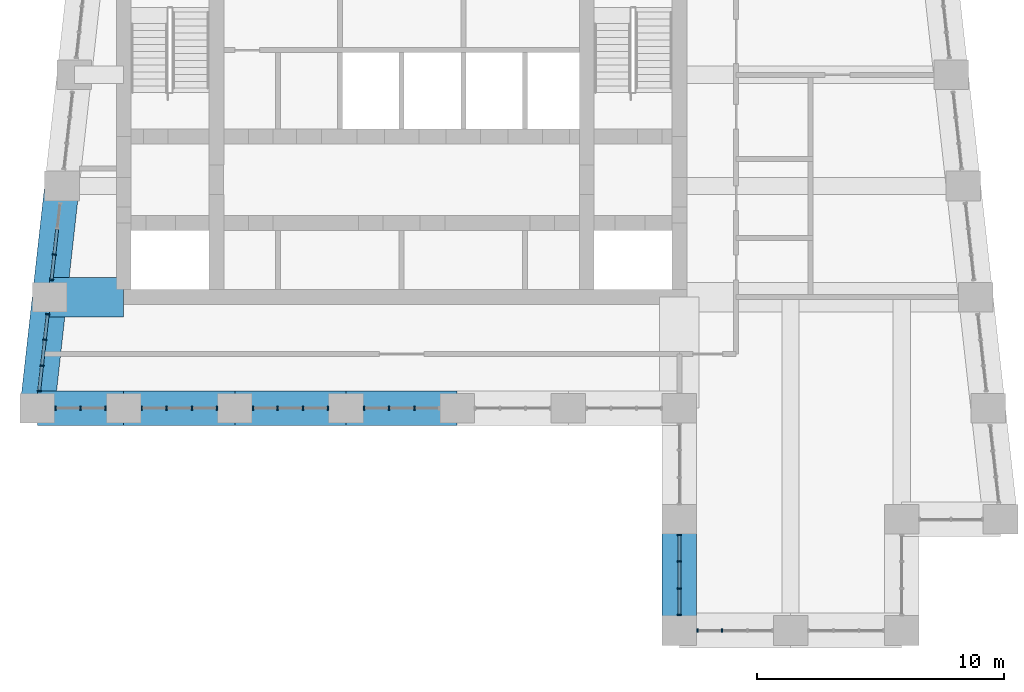
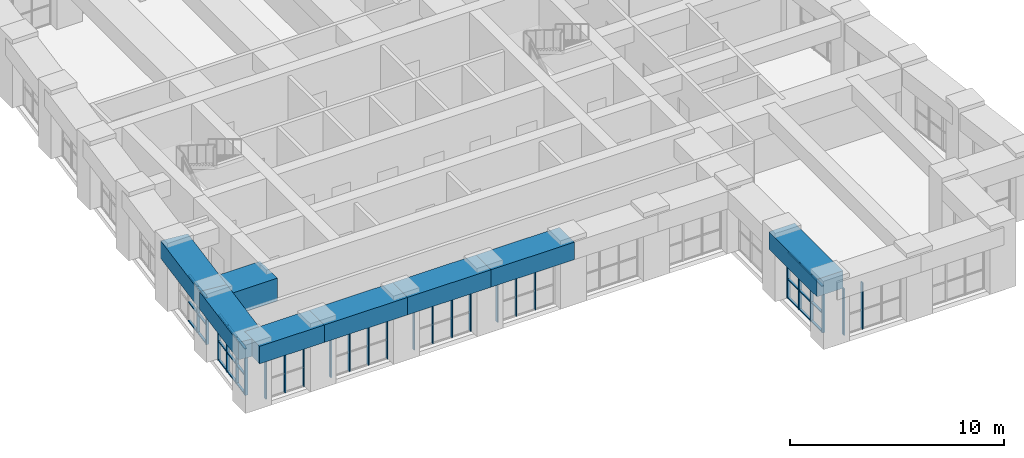
# One storey, part 2 of 18: 50 members, 8 beams, 8 elements without a shape of their own.
"""IFC4 building model written with IfcOpenShell, lengths in metres."""

from ifc_helpers import new_model, si_unit, direction, frame, origin, origin_2d, place, context, subcontext, project, spatial, rectangle, extrude, material, material_profile, profile_set, type_object, element, aggregate, save


model = new_model("IFC4")

# Units and contexts
model_context = context("Model", 3, precision=1e-05, world=origin(), true_north=direction((0.0, 1.0)))
body_context = subcontext(model_context, "Body", "Model", "MODEL_VIEW")
ifc_project = project(units=[si_unit("LENGTHUNIT", "METRE"), si_unit("AREAUNIT", "SQUARE_METRE"), si_unit("VOLUMEUNIT", "CUBIC_METRE"), si_unit("PLANEANGLEUNIT", "RADIAN"), si_unit("MASSUNIT", "GRAM", prefix="KILO")], contexts=[model_context])

# Site, building, storey
site_placement = place(None, origin())
site = spatial("IfcSite", under=ifc_project, at=site_placement, CompositionType="ELEMENT")
building_placement = place(site_placement, origin())
building = spatial("IfcBuilding", under=site, at=building_placement, Name="Kilele Tower Hotel", CompositionType="ELEMENT")
storey_placement = place(building_placement, frame((0.0, 0.0, 281.89990234375)))
storey = spatial("IfcBuildingStorey", under=building, at=storey_placement, Name="L72", CompositionType="ELEMENT", Elevation=281.89990234375)

# Beam
ifc_material_1 = material(Name="Concrete C60/75", Category="concrete")
ifc_material_profile_1 = material_profile(ifc_material_1, rectangle(XDim=1.60009765625, YDim=1.300048828125, at=origin_2d()))
ifc_profile_set_1 = profile_set([ifc_material_profile_1], Name="Concrete C60/75")
beam_type_1 = type_object("IfcBeamType", Name="Coupling girder RC 1600x1300 C60/75", PredefinedType="BEAM", material=ifc_profile_set_1)
beam_1_placement = place(storey_placement, frame((10.5, 13.5, 3.0), z_axis=(1.0, 0.0, 0.0), x_axis=(0.0, 1.0, 0.0)))
element("IfcBeam", 1, at=beam_1_placement, inside=storey, type_object=beam_type_1, Name="Coupling girder G2 level L73", PredefinedType="BEAM", context=body_context, shape_type="SweptSolid", body=[
    extrude(rectangle(XDim=1.60009765625, YDim=1.300048828125, at=origin_2d()), origin(), (0.0, 0.0, 1.0), 3.0),
])

# Curtain wall, members
ifc_material_2 = material(Name="Aluminium curtain wall, clear double glazing", Category="aluminium")
curtain_wall_type = type_object("IfcCurtainWallType", Name="Sky restaurant curtain wall CW-5", PredefinedType="NOTDEFINED", material=ifc_material_2)
curtain_wall_1_placement = place(storey_placement, origin())
curtain_wall_1 = element("IfcCurtainWall", 2, at=curtain_wall_1_placement, inside=storey, type_object=curtain_wall_type, Name="Sky restaurant curtain wall CW-5 L72", PredefinedType="NOTDEFINED")
ifc_material_3 = material(Name="Aluminium EN AW-6063 T6", Category="aluminium")
ifc_material_profile_2 = material_profile(ifc_material_3, rectangle(XDim=0.159912109375, YDim=0.06005859375, at=origin_2d()))
ifc_profile_set_2 = profile_set([ifc_material_profile_2], Name="Aluminium EN AW-6063 T6")
member_type_1 = type_object("IfcMemberType", Name="Mullion 60x160 CW-5", PredefinedType="MULLION", material=ifc_profile_set_2)
member_1_placement = place(storey_placement, frame((10.72998046875, 9.0, 0.0), z_axis=(0.0, 0.0, 1.0), x_axis=(0.0, 1.0, 0.0)))
member_1 = element("IfcMember", 3, at=member_1_placement, type_object=member_type_1, Name="CW-5 mullion 1", PredefinedType="MULLION", context=body_context, shape_type="SweptSolid", body=[
    extrude(rectangle(XDim=0.159912109375, YDim=0.06005859375, at=origin_2d()), origin(), (0.0, 0.0, 1.0), 2.650146484375),
])
member_2_placement = place(storey_placement, frame((11.75, 9.0, 0.0), z_axis=(0.0, 0.0, 1.0), x_axis=(0.0, 1.0, 0.0)))
member_2 = element("IfcMember", 4, at=member_2_placement, type_object=member_type_1, Name="CW-5 mullion 2", PredefinedType="MULLION", context=body_context, shape_type="SweptSolid", body=[
    extrude(rectangle(XDim=0.159912109375, YDim=0.06005859375, at=origin_2d()), origin(), (0.0, 0.0, 1.0), 2.650146484375),
])
member_3_placement = place(storey_placement, frame((12.77001953125, 9.0, 0.0), z_axis=(0.0, 0.0, 1.0), x_axis=(0.0, 1.0, 0.0)))
member_3 = element("IfcMember", 5, at=member_3_placement, type_object=member_type_1, Name="CW-5 mullion 3", PredefinedType="MULLION", context=body_context, shape_type="SweptSolid", body=[
    extrude(rectangle(XDim=0.159912109375, YDim=0.06005859375, at=origin_2d()), origin(), (0.0, 0.0, 1.0), 2.650146484375),
])
aggregate(curtain_wall_1, [member_1, member_2, member_3])

curtain_wall_2_placement = place(storey_placement, origin())
curtain_wall_2 = element("IfcCurtainWall", 6, at=curtain_wall_2_placement, inside=storey, type_object=curtain_wall_type, Name="Sky restaurant curtain wall CW-5 L72", PredefinedType="NOTDEFINED")
member_4_placement = place(storey_placement, frame((14.22998046875, 9.0, 0.0), z_axis=(0.0, 0.0, 1.0), x_axis=(0.0, 1.0, 0.0)))
member_4 = element("IfcMember", 7, at=member_4_placement, type_object=member_type_1, Name="CW-5 mullion 1", PredefinedType="MULLION", context=body_context, shape_type="SweptSolid", body=[
    extrude(rectangle(XDim=0.159912109375, YDim=0.06005859375, at=origin_2d()), origin(), (0.0, 0.0, 1.0), 2.650146484375),
])
member_5_placement = place(storey_placement, frame((15.2333984375, 9.0, 0.0), z_axis=(0.0, 0.0, 1.0), x_axis=(0.0, 1.0, 0.0)))
member_5 = element("IfcMember", 8, at=member_5_placement, type_object=member_type_1, Name="CW-5 mullion 2", PredefinedType="MULLION", context=body_context, shape_type="SweptSolid", body=[
    extrude(rectangle(XDim=0.159912109375, YDim=0.06005859375, at=origin_2d()), origin(), (0.0, 0.0, 1.0), 2.650146484375),
])
member_6_placement = place(storey_placement, frame((16.2666015625, 9.0, 0.0), z_axis=(0.0, 0.0, 1.0), x_axis=(0.0, 1.0, 0.0)))
member_6 = element("IfcMember", 9, at=member_6_placement, type_object=member_type_1, Name="CW-5 mullion 3", PredefinedType="MULLION", context=body_context, shape_type="SweptSolid", body=[
    extrude(rectangle(XDim=0.159912109375, YDim=0.06005859375, at=origin_2d()), origin(), (0.0, 0.0, 1.0), 2.650146484375),
])
member_7_placement = place(storey_placement, frame((17.27001953125, 9.0, 0.0), z_axis=(0.0, 0.0, 1.0), x_axis=(0.0, 1.0, 0.0)))
member_7 = element("IfcMember", 10, at=member_7_placement, type_object=member_type_1, Name="CW-5 mullion 4", PredefinedType="MULLION", context=body_context, shape_type="SweptSolid", body=[
    extrude(rectangle(XDim=0.159912109375, YDim=0.06005859375, at=origin_2d()), origin(), (0.0, 0.0, 1.0), 2.650146484375),
])
aggregate(curtain_wall_2, [member_4, member_5, member_6, member_7])

curtain_wall_3_placement = place(storey_placement, origin())
curtain_wall_3 = element("IfcCurtainWall", 11, at=curtain_wall_3_placement, inside=storey, type_object=curtain_wall_type, Name="Sky restaurant curtain wall CW-5 L72", PredefinedType="NOTDEFINED")
member_8_placement = place(storey_placement, frame((18.72998046875, 9.0, 0.0), z_axis=(0.0, 0.0, 1.0), x_axis=(0.0, 1.0, 0.0)))
member_8 = element("IfcMember", 12, at=member_8_placement, type_object=member_type_1, Name="CW-5 mullion 1", PredefinedType="MULLION", context=body_context, shape_type="SweptSolid", body=[
    extrude(rectangle(XDim=0.159912109375, YDim=0.06005859375, at=origin_2d()), origin(), (0.0, 0.0, 1.0), 2.650146484375),
])
member_9_placement = place(storey_placement, frame((19.7333984375, 9.0, 0.0), z_axis=(0.0, 0.0, 1.0), x_axis=(0.0, 1.0, 0.0)))
member_9 = element("IfcMember", 13, at=member_9_placement, type_object=member_type_1, Name="CW-5 mullion 2", PredefinedType="MULLION", context=body_context, shape_type="SweptSolid", body=[
    extrude(rectangle(XDim=0.159912109375, YDim=0.06005859375, at=origin_2d()), origin(), (0.0, 0.0, 1.0), 2.650146484375),
])
member_10_placement = place(storey_placement, frame((20.7666015625, 9.0, 0.0), z_axis=(0.0, 0.0, 1.0), x_axis=(0.0, 1.0, 0.0)))
member_10 = element("IfcMember", 14, at=member_10_placement, type_object=member_type_1, Name="CW-5 mullion 3", PredefinedType="MULLION", context=body_context, shape_type="SweptSolid", body=[
    extrude(rectangle(XDim=0.159912109375, YDim=0.06005859375, at=origin_2d()), origin(), (0.0, 0.0, 1.0), 2.650146484375),
])
member_11_placement = place(storey_placement, frame((21.77001953125, 9.0, 0.0), z_axis=(0.0, 0.0, 1.0), x_axis=(0.0, 1.0, 0.0)))
member_11 = element("IfcMember", 15, at=member_11_placement, type_object=member_type_1, Name="CW-5 mullion 4", PredefinedType="MULLION", context=body_context, shape_type="SweptSolid", body=[
    extrude(rectangle(XDim=0.159912109375, YDim=0.06005859375, at=origin_2d()), origin(), (0.0, 0.0, 1.0), 2.650146484375),
])
aggregate(curtain_wall_3, [member_8, member_9, member_10, member_11])

curtain_wall_4_placement = place(storey_placement, origin())
curtain_wall_4 = element("IfcCurtainWall", 16, at=curtain_wall_4_placement, inside=storey, type_object=curtain_wall_type, Name="Sky restaurant curtain wall CW-5 L72", PredefinedType="NOTDEFINED")
member_12_placement = place(storey_placement, frame((23.22998046875, 9.0, 0.0), z_axis=(0.0, 0.0, 1.0), x_axis=(0.0, 1.0, 0.0)))
member_12 = element("IfcMember", 17, at=member_12_placement, type_object=member_type_1, Name="CW-5 mullion 1", PredefinedType="MULLION", context=body_context, shape_type="SweptSolid", body=[
    extrude(rectangle(XDim=0.159912109375, YDim=0.06005859375, at=origin_2d()), origin(), (0.0, 0.0, 1.0), 2.650146484375),
])
member_13_placement = place(storey_placement, frame((24.2333984375, 9.0, 0.0), z_axis=(0.0, 0.0, 1.0), x_axis=(0.0, 1.0, 0.0)))
member_13 = element("IfcMember", 18, at=member_13_placement, type_object=member_type_1, Name="CW-5 mullion 2", PredefinedType="MULLION", context=body_context, shape_type="SweptSolid", body=[
    extrude(rectangle(XDim=0.159912109375, YDim=0.06005859375, at=origin_2d()), origin(), (0.0, 0.0, 1.0), 2.650146484375),
])
member_14_placement = place(storey_placement, frame((25.2666015625, 9.0, 0.0), z_axis=(0.0, 0.0, 1.0), x_axis=(0.0, 1.0, 0.0)))
member_14 = element("IfcMember", 19, at=member_14_placement, type_object=member_type_1, Name="CW-5 mullion 3", PredefinedType="MULLION", context=body_context, shape_type="SweptSolid", body=[
    extrude(rectangle(XDim=0.159912109375, YDim=0.06005859375, at=origin_2d()), origin(), (0.0, 0.0, 1.0), 2.650146484375),
])
aggregate(curtain_wall_4, [member_12, member_13, member_14])

curtain_wall_5_placement = place(storey_placement, origin())
curtain_wall_5 = element("IfcCurtainWall", 20, at=curtain_wall_5_placement, inside=storey, type_object=curtain_wall_type, Name="Sky restaurant curtain wall CW-5 L72", PredefinedType="NOTDEFINED")
member_15_placement = place(storey_placement, frame((36.0, 3.8701171875, 0.0), z_axis=(0.0, 0.0, 1.0), x_axis=(1.0, 0.0, 0.0)))
member_15 = element("IfcMember", 21, at=member_15_placement, type_object=member_type_1, Name="CW-5 mullion 1", PredefinedType="MULLION", context=body_context, shape_type="SweptSolid", body=[
    extrude(rectangle(XDim=0.159912109375, YDim=0.06005859375, at=origin_2d()), origin(), (0.0, 0.0, 1.0), 2.650146484375),
])
member_16_placement = place(storey_placement, frame((36.0, 2.800048828125, 0.0), z_axis=(0.0, 0.0, 1.0), x_axis=(1.0, 0.0, 0.0)))
member_16 = element("IfcMember", 22, at=member_16_placement, type_object=member_type_1, Name="CW-5 mullion 2", PredefinedType="MULLION", context=body_context, shape_type="SweptSolid", body=[
    extrude(rectangle(XDim=0.159912109375, YDim=0.06005859375, at=origin_2d()), origin(), (0.0, 0.0, 1.0), 2.650146484375),
])
member_17_placement = place(storey_placement, frame((36.0, 1.699951171875, 0.0), z_axis=(0.0, 0.0, 1.0), x_axis=(1.0, 0.0, 0.0)))
member_17 = element("IfcMember", 23, at=member_17_placement, type_object=member_type_1, Name="CW-5 mullion 3", PredefinedType="MULLION", context=body_context, shape_type="SweptSolid", body=[
    extrude(rectangle(XDim=0.159912109375, YDim=0.06005859375, at=origin_2d()), origin(), (0.0, 0.0, 1.0), 2.650146484375),
])
member_18_placement = place(storey_placement, frame((36.0, 0.6298828125, 0.0), z_axis=(0.0, 0.0, 1.0), x_axis=(1.0, 0.0, 0.0)))
member_18 = element("IfcMember", 24, at=member_18_placement, type_object=member_type_1, Name="CW-5 mullion 4", PredefinedType="MULLION", context=body_context, shape_type="SweptSolid", body=[
    extrude(rectangle(XDim=0.159912109375, YDim=0.06005859375, at=origin_2d()), origin(), (0.0, 0.0, 1.0), 2.650146484375),
])

curtain_wall_6_placement = place(storey_placement, origin())
curtain_wall_6 = element("IfcCurtainWall", 25, at=curtain_wall_6_placement, inside=storey, type_object=curtain_wall_type, Name="Sky restaurant curtain wall CW-5 L72", PredefinedType="NOTDEFINED")
member_19_placement = place(storey_placement, frame((36.72998046875, 0.0, 0.0), z_axis=(0.0, 0.0, 1.0), x_axis=(0.0, 1.0, 0.0)))
member_19 = element("IfcMember", 26, at=member_19_placement, type_object=member_type_1, Name="CW-5 mullion 1", PredefinedType="MULLION", context=body_context, shape_type="SweptSolid", body=[
    extrude(rectangle(XDim=0.159912109375, YDim=0.06005859375, at=origin_2d()), origin(), (0.0, 0.0, 1.0), 2.650146484375),
])
member_20_placement = place(storey_placement, frame((37.7333984375, 0.0, 0.0), z_axis=(0.0, 0.0, 1.0), x_axis=(0.0, 1.0, 0.0)))
member_20 = element("IfcMember", 27, at=member_20_placement, type_object=member_type_1, Name="CW-5 mullion 2", PredefinedType="MULLION", context=body_context, shape_type="SweptSolid", body=[
    extrude(rectangle(XDim=0.159912109375, YDim=0.06005859375, at=origin_2d()), origin(), (0.0, 0.0, 1.0), 2.650146484375),
])
aggregate(curtain_wall_6, [member_19, member_20])

curtain_wall_7_placement = place(storey_placement, origin())
curtain_wall_7 = element("IfcCurtainWall", 28, at=curtain_wall_7_placement, inside=storey, type_object=curtain_wall_type, Name="Sky restaurant curtain wall CW-5 L72", PredefinedType="NOTDEFINED")
member_21_placement = place(storey_placement, frame((10.69140625, 15.22314453125, 0.0), z_axis=(0.0, 0.0, 1.0), x_axis=(0.993883734681, -0.110431526007, 0.0)))
member_21 = element("IfcMember", 29, at=member_21_placement, type_object=member_type_1, Name="CW-5 mullion 3", PredefinedType="MULLION", context=body_context, shape_type="SweptSolid", body=[
    extrude(rectangle(XDim=0.159912109375, YDim=0.06005859375, at=origin_2d()), origin(), (0.0, 0.0, 1.0), 2.650146484375),
])
member_22_placement = place(storey_placement, frame((10.57763671875, 14.19921875, 0.0), z_axis=(0.0, 0.0, 1.0), x_axis=(0.993883734681, -0.110431526007, 0.0)))
member_22 = element("IfcMember", 30, at=member_22_placement, type_object=member_type_1, Name="CW-5 mullion 4", PredefinedType="MULLION", context=body_context, shape_type="SweptSolid", body=[
    extrude(rectangle(XDim=0.159912109375, YDim=0.06005859375, at=origin_2d()), origin(), (0.0, 0.0, 1.0), 2.650146484375),
])

curtain_wall_8_placement = place(storey_placement, origin())
curtain_wall_8 = element("IfcCurtainWall", 31, at=curtain_wall_8_placement, inside=storey, type_object=curtain_wall_type, Name="Sky restaurant curtain wall CW-5 L72", PredefinedType="NOTDEFINED")
member_23_placement = place(storey_placement, frame((10.42236328125, 12.80078125, 0.0), z_axis=(0.0, 0.0, 1.0), x_axis=(0.993883734681, -0.110431526007, 0.0)))
member_23 = element("IfcMember", 32, at=member_23_placement, type_object=member_type_1, Name="CW-5 mullion 1", PredefinedType="MULLION", context=body_context, shape_type="SweptSolid", body=[
    extrude(rectangle(XDim=0.159912109375, YDim=0.06005859375, at=origin_2d()), origin(), (0.0, 0.0, 1.0), 2.650146484375),
])
member_24_placement = place(storey_placement, frame((10.30859375, 11.77685546875, 0.0), z_axis=(0.0, 0.0, 1.0), x_axis=(0.993883734681, -0.110431526007, 0.0)))
member_24 = element("IfcMember", 33, at=member_24_placement, type_object=member_type_1, Name="CW-5 mullion 2", PredefinedType="MULLION", context=body_context, shape_type="SweptSolid", body=[
    extrude(rectangle(XDim=0.159912109375, YDim=0.06005859375, at=origin_2d()), origin(), (0.0, 0.0, 1.0), 2.650146484375),
])
member_25_placement = place(storey_placement, frame((10.19140625, 10.72314453125, 0.0), z_axis=(0.0, 0.0, 1.0), x_axis=(0.993883734681, -0.110431526007, 0.0)))
member_25 = element("IfcMember", 34, at=member_25_placement, type_object=member_type_1, Name="CW-5 mullion 3", PredefinedType="MULLION", context=body_context, shape_type="SweptSolid", body=[
    extrude(rectangle(XDim=0.159912109375, YDim=0.06005859375, at=origin_2d()), origin(), (0.0, 0.0, 1.0), 2.650146484375),
])
member_26_placement = place(storey_placement, frame((10.07763671875, 9.69921875, 0.0), z_axis=(0.0, 0.0, 1.0), x_axis=(0.993883734681, -0.110431526007, 0.0)))
member_26 = element("IfcMember", 35, at=member_26_placement, type_object=member_type_1, Name="CW-5 mullion 4", PredefinedType="MULLION", context=body_context, shape_type="SweptSolid", body=[
    extrude(rectangle(XDim=0.159912109375, YDim=0.06005859375, at=origin_2d()), origin(), (0.0, 0.0, 1.0), 2.650146484375),
])

# Beams
ifc_material_4 = material(Name="Concrete C60/75", Category="concrete")
ifc_material_profile_3 = material_profile(ifc_material_4, rectangle(XDim=1.39990234375, YDim=1.0, at=origin_2d()))
ifc_profile_set_3 = profile_set([ifc_material_profile_3], Name="Concrete C60/75")
beam_type_2 = type_object("IfcBeamType", Name="Spandrel RC 1400x1000 C60/75", PredefinedType="SPANDREL", material=ifc_profile_set_3)
beam_2_placement = place(storey_placement, frame((10.0, 9.0, 3.150146484375), z_axis=(1.0, 0.0, 0.0), x_axis=(0.0, 1.0, 0.0)))
element("IfcBeam", 36, at=beam_2_placement, inside=storey, type_object=beam_type_2, Name="Spandrel SP1 level L73", PredefinedType="SPANDREL", context=body_context, shape_type="SweptSolid", body=[
    extrude(rectangle(XDim=1.39990234375, YDim=1.0, at=origin_2d()), origin(), (0.0, 0.0, 1.0), 3.5),
])
for number, where, z_axis, x_axis, name in (
    (37, (13.5, 9.0, 3.150146484375), (1.0, 0.0, 0.0), (0.0, 1.0, 0.0), "Spandrel SP1 level L73"),
    (38, (18.0, 9.0, 3.150146484375), (1.0, 0.0, 0.0), (0.0, 1.0, 0.0), "Spandrel SP1 level L73"),
    (39, (22.5, 9.0, 3.150146484375), (1.0, 0.0, 0.0), (0.0, 1.0, 0.0), "Spandrel SP1 level L73"),
    (40, (36.0, 4.5, 3.150146484375), (0.0, -1.0, 0.0), (1.0, 0.0, 0.0), "Spandrel SP1 level L73"),
):
    element("IfcBeam", number, at=place(storey_placement, frame(where, z_axis=z_axis, x_axis=x_axis)), inside=storey, type_object=beam_type_2, Name=name, PredefinedType="SPANDREL", context=body_context, shape_type="SweptSolid", body=[
        extrude(rectangle(XDim=1.39990234375, YDim=1.0, at=origin_2d()), origin(), (0.0, 0.0, 1.0), 4.5),
    ])
for number, where, z_axis, x_axis, name in (
    (41, (11.0, 18.0, 3.150146484375), (-0.110431526075, -0.993883734674, 0.0), (0.993883734674, -0.110431526075, 0.0), "Spandrel SP1 level L73"),
    (42, (10.5, 13.5, 3.150146484375), (-0.110431526075, -0.993883734674, 0.0), (0.993883734674, -0.110431526075, 0.0), "Spandrel SP1 level L73"),
):
    element("IfcBeam", number, at=place(storey_placement, frame(where, z_axis=z_axis, x_axis=x_axis)), inside=storey, type_object=beam_type_2, Name=name, PredefinedType="SPANDREL", context=body_context, shape_type="SweptSolid", body=[
        extrude(rectangle(XDim=1.39990234375, YDim=1.0, at=origin_2d()), origin(), (0.0, 0.0, 1.0), 4.527587890625),
    ])

# Member
ifc_material_5 = material(Name="Aluminium EN AW-6063 T6", Category="aluminium")
ifc_material_profile_4 = material_profile(ifc_material_5, rectangle(XDim=0.1201171875, YDim=0.06005859375, at=origin_2d()))
ifc_profile_set_4 = profile_set([ifc_material_profile_4], Name="Aluminium EN AW-6063 T6")
member_type_2 = type_object("IfcMemberType", Name="Transom 60x120 CW-5", PredefinedType="USERDEFINED", material=ifc_profile_set_4)
member_27_placement = place(storey_placement, frame((36.0, 3.840087890625, 0.030029296875), z_axis=(0.0, -1.0, 0.0), x_axis=(1.0, 0.0, 0.0)))
member_27 = element("IfcMember", 43, at=member_27_placement, type_object=member_type_2, Name="CW-5 transom 1.1", ObjectType="TRANSOM", PredefinedType="USERDEFINED", context=body_context, shape_type="SweptSolid", body=[
    extrude(rectangle(XDim=0.1201171875, YDim=0.06005859375, at=origin_2d()), origin(), (0.0, 0.0, 1.0), 1.010009765625),
])

member_28_placement = place(storey_placement, frame((36.0, 3.840087890625, 1.10009765625), z_axis=(0.0, -1.0, 0.0), x_axis=(1.0, 0.0, 0.0)))
member_28 = element("IfcMember", 44, at=member_28_placement, type_object=member_type_2, Name="CW-5 transom 1.2", ObjectType="TRANSOM", PredefinedType="USERDEFINED", context=body_context, shape_type="SweptSolid", body=[
    extrude(rectangle(XDim=0.1201171875, YDim=0.06005859375, at=origin_2d()), origin(), (0.0, 0.0, 1.0), 1.010009765625),
])

member_29_placement = place(storey_placement, frame((36.0, 3.840087890625, 2.6201171875), z_axis=(0.0, -1.0, 0.0), x_axis=(1.0, 0.0, 0.0)))
member_29 = element("IfcMember", 45, at=member_29_placement, type_object=member_type_2, Name="CW-5 transom 1.3", ObjectType="TRANSOM", PredefinedType="USERDEFINED", context=body_context, shape_type="SweptSolid", body=[
    extrude(rectangle(XDim=0.1201171875, YDim=0.06005859375, at=origin_2d()), origin(), (0.0, 0.0, 1.0), 1.010009765625),
])

member_30_placement = place(storey_placement, frame((36.0, 2.77001953125, 0.030029296875), z_axis=(0.0, -1.0, 0.0), x_axis=(1.0, 0.0, 0.0)))
member_30 = element("IfcMember", 46, at=member_30_placement, type_object=member_type_2, Name="CW-5 transom 2.1", ObjectType="TRANSOM", PredefinedType="USERDEFINED", context=body_context, shape_type="SweptSolid", body=[
    extrude(rectangle(XDim=0.1201171875, YDim=0.06005859375, at=origin_2d()), origin(), (0.0, 0.0, 1.0), 1.0400390625),
])

member_31_placement = place(storey_placement, frame((36.0, 2.77001953125, 1.10009765625), z_axis=(0.0, -1.0, 0.0), x_axis=(1.0, 0.0, 0.0)))
member_31 = element("IfcMember", 47, at=member_31_placement, type_object=member_type_2, Name="CW-5 transom 2.2", ObjectType="TRANSOM", PredefinedType="USERDEFINED", context=body_context, shape_type="SweptSolid", body=[
    extrude(rectangle(XDim=0.1201171875, YDim=0.06005859375, at=origin_2d()), origin(), (0.0, 0.0, 1.0), 1.0400390625),
])

member_32_placement = place(storey_placement, frame((36.0, 2.77001953125, 2.6201171875), z_axis=(0.0, -1.0, 0.0), x_axis=(1.0, 0.0, 0.0)))
member_32 = element("IfcMember", 48, at=member_32_placement, type_object=member_type_2, Name="CW-5 transom 2.3", ObjectType="TRANSOM", PredefinedType="USERDEFINED", context=body_context, shape_type="SweptSolid", body=[
    extrude(rectangle(XDim=0.1201171875, YDim=0.06005859375, at=origin_2d()), origin(), (0.0, 0.0, 1.0), 1.0400390625),
])

member_33_placement = place(storey_placement, frame((36.0, 1.669921875, 0.030029296875), z_axis=(0.0, -1.0, 0.0), x_axis=(1.0, 0.0, 0.0)))
member_33 = element("IfcMember", 49, at=member_33_placement, type_object=member_type_2, Name="CW-5 transom 3.1", ObjectType="TRANSOM", PredefinedType="USERDEFINED", context=body_context, shape_type="SweptSolid", body=[
    extrude(rectangle(XDim=0.1201171875, YDim=0.06005859375, at=origin_2d()), origin(), (0.0, 0.0, 1.0), 1.010009765625),
])

member_34_placement = place(storey_placement, frame((36.0, 1.669921875, 1.10009765625), z_axis=(0.0, -1.0, 0.0), x_axis=(1.0, 0.0, 0.0)))
member_34 = element("IfcMember", 50, at=member_34_placement, type_object=member_type_2, Name="CW-5 transom 3.2", ObjectType="TRANSOM", PredefinedType="USERDEFINED", context=body_context, shape_type="SweptSolid", body=[
    extrude(rectangle(XDim=0.1201171875, YDim=0.06005859375, at=origin_2d()), origin(), (0.0, 0.0, 1.0), 1.010009765625),
])

member_35_placement = place(storey_placement, frame((36.0, 1.669921875, 2.6201171875), z_axis=(0.0, -1.0, 0.0), x_axis=(1.0, 0.0, 0.0)))
member_35 = element("IfcMember", 51, at=member_35_placement, type_object=member_type_2, Name="CW-5 transom 3.3", ObjectType="TRANSOM", PredefinedType="USERDEFINED", context=body_context, shape_type="SweptSolid", body=[
    extrude(rectangle(XDim=0.1201171875, YDim=0.06005859375, at=origin_2d()), origin(), (0.0, 0.0, 1.0), 1.010009765625),
])

aggregate(curtain_wall_5, [member_15, member_16, member_17, member_18, member_27, member_28, member_29, member_30, member_31, member_32, member_33, member_34, member_35])

member_36_placement = place(storey_placement, frame((10.80517578125, 16.2470703125, 0.030029296875), z_axis=(-0.110324368158, -0.993895635261, 0.0), x_axis=(0.993895635261, -0.110324368158, 0.0)))
member_36 = element("IfcMember", 52, at=member_36_placement, type_object=member_type_2, Name="CW-5 transom 2.1", ObjectType="TRANSOM", PredefinedType="USERDEFINED", context=body_context, shape_type="SweptSolid", body=[
    extrude(rectangle(XDim=0.1201171875, YDim=0.06005859375, at=origin_2d()), origin(), (0.0, 0.0, 1.0), 1.000244140625),
])

member_37_placement = place(storey_placement, frame((10.80517578125, 16.2470703125, 1.10009765625), z_axis=(-0.110324368158, -0.993895635261, 0.0), x_axis=(0.993895635261, -0.110324368158, 0.0)))
member_37 = element("IfcMember", 53, at=member_37_placement, type_object=member_type_2, Name="CW-5 transom 2.2", ObjectType="TRANSOM", PredefinedType="USERDEFINED", context=body_context, shape_type="SweptSolid", body=[
    extrude(rectangle(XDim=0.1201171875, YDim=0.06005859375, at=origin_2d()), origin(), (0.0, 0.0, 1.0), 1.000244140625),
])

member_38_placement = place(storey_placement, frame((10.80517578125, 16.2470703125, 2.6201171875), z_axis=(-0.110324368158, -0.993895635261, 0.0), x_axis=(0.993895635261, -0.110324368158, 0.0)))
member_38 = element("IfcMember", 54, at=member_38_placement, type_object=member_type_2, Name="CW-5 transom 2.3", ObjectType="TRANSOM", PredefinedType="USERDEFINED", context=body_context, shape_type="SweptSolid", body=[
    extrude(rectangle(XDim=0.1201171875, YDim=0.06005859375, at=origin_2d()), origin(), (0.0, 0.0, 1.0), 1.000244140625),
])

member_39_placement = place(storey_placement, frame((10.688232421875, 15.193359375, 0.030029296875), z_axis=(-0.11048677236, -0.993877594643, 0.0), x_axis=(0.993877594643, -0.11048677236, 0.0)))
member_39 = element("IfcMember", 55, at=member_39_placement, type_object=member_type_2, Name="CW-5 transom 3.1", ObjectType="TRANSOM", PredefinedType="USERDEFINED", context=body_context, shape_type="SweptSolid", body=[
    extrude(rectangle(XDim=0.1201171875, YDim=0.06005859375, at=origin_2d()), origin(), (0.0, 0.0, 1.0), 0.969970703125),
])

member_40_placement = place(storey_placement, frame((10.688232421875, 15.193359375, 1.10009765625), z_axis=(-0.11048677236, -0.993877594643, 0.0), x_axis=(0.993877594643, -0.11048677236, 0.0)))
member_40 = element("IfcMember", 56, at=member_40_placement, type_object=member_type_2, Name="CW-5 transom 3.2", ObjectType="TRANSOM", PredefinedType="USERDEFINED", context=body_context, shape_type="SweptSolid", body=[
    extrude(rectangle(XDim=0.1201171875, YDim=0.06005859375, at=origin_2d()), origin(), (0.0, 0.0, 1.0), 0.969970703125),
])

member_41_placement = place(storey_placement, frame((10.688232421875, 15.193359375, 2.6201171875), z_axis=(-0.11048677236, -0.993877594643, 0.0), x_axis=(0.993877594643, -0.11048677236, 0.0)))
member_41 = element("IfcMember", 57, at=member_41_placement, type_object=member_type_2, Name="CW-5 transom 3.3", ObjectType="TRANSOM", PredefinedType="USERDEFINED", context=body_context, shape_type="SweptSolid", body=[
    extrude(rectangle(XDim=0.1201171875, YDim=0.06005859375, at=origin_2d()), origin(), (0.0, 0.0, 1.0), 0.969970703125),
])

aggregate(curtain_wall_7, [member_21, member_22, member_36, member_37, member_38, member_39, member_40, member_41])

member_42_placement = place(storey_placement, frame((10.4189453125, 12.770751953125, 0.030029296875), z_axis=(-0.11048677236, -0.993877594643, 0.0), x_axis=(0.993877594643, -0.11048677236, 0.0)))
member_42 = element("IfcMember", 58, at=member_42_placement, type_object=member_type_2, Name="CW-5 transom 1.1", ObjectType="TRANSOM", PredefinedType="USERDEFINED", context=body_context, shape_type="SweptSolid", body=[
    extrude(rectangle(XDim=0.1201171875, YDim=0.06005859375, at=origin_2d()), origin(), (0.0, 0.0, 1.0), 0.969970703125),
])

member_43_placement = place(storey_placement, frame((10.4189453125, 12.770751953125, 1.10009765625), z_axis=(-0.11048677236, -0.993877594643, 0.0), x_axis=(0.993877594643, -0.11048677236, 0.0)))
member_43 = element("IfcMember", 59, at=member_43_placement, type_object=member_type_2, Name="CW-5 transom 1.2", ObjectType="TRANSOM", PredefinedType="USERDEFINED", context=body_context, shape_type="SweptSolid", body=[
    extrude(rectangle(XDim=0.1201171875, YDim=0.06005859375, at=origin_2d()), origin(), (0.0, 0.0, 1.0), 0.969970703125),
])

member_44_placement = place(storey_placement, frame((10.4189453125, 12.770751953125, 2.6201171875), z_axis=(-0.11048677236, -0.993877594643, 0.0), x_axis=(0.993877594643, -0.11048677236, 0.0)))
member_44 = element("IfcMember", 60, at=member_44_placement, type_object=member_type_2, Name="CW-5 transom 1.3", ObjectType="TRANSOM", PredefinedType="USERDEFINED", context=body_context, shape_type="SweptSolid", body=[
    extrude(rectangle(XDim=0.1201171875, YDim=0.06005859375, at=origin_2d()), origin(), (0.0, 0.0, 1.0), 0.969970703125),
])

member_45_placement = place(storey_placement, frame((10.30517578125, 11.7470703125, 0.030029296875), z_axis=(-0.110324368158, -0.993895635261, 0.0), x_axis=(0.993895635261, -0.110324368158, 0.0)))
member_45 = element("IfcMember", 61, at=member_45_placement, type_object=member_type_2, Name="CW-5 transom 2.1", ObjectType="TRANSOM", PredefinedType="USERDEFINED", context=body_context, shape_type="SweptSolid", body=[
    extrude(rectangle(XDim=0.1201171875, YDim=0.06005859375, at=origin_2d()), origin(), (0.0, 0.0, 1.0), 1.000244140625),
])

member_46_placement = place(storey_placement, frame((10.30517578125, 11.7470703125, 1.10009765625), z_axis=(-0.110324368158, -0.993895635261, 0.0), x_axis=(0.993895635261, -0.110324368158, 0.0)))
member_46 = element("IfcMember", 62, at=member_46_placement, type_object=member_type_2, Name="CW-5 transom 2.2", ObjectType="TRANSOM", PredefinedType="USERDEFINED", context=body_context, shape_type="SweptSolid", body=[
    extrude(rectangle(XDim=0.1201171875, YDim=0.06005859375, at=origin_2d()), origin(), (0.0, 0.0, 1.0), 1.000244140625),
])

member_47_placement = place(storey_placement, frame((10.30517578125, 11.7470703125, 2.6201171875), z_axis=(-0.110324368158, -0.993895635261, 0.0), x_axis=(0.993895635261, -0.110324368158, 0.0)))
member_47 = element("IfcMember", 63, at=member_47_placement, type_object=member_type_2, Name="CW-5 transom 2.3", ObjectType="TRANSOM", PredefinedType="USERDEFINED", context=body_context, shape_type="SweptSolid", body=[
    extrude(rectangle(XDim=0.1201171875, YDim=0.06005859375, at=origin_2d()), origin(), (0.0, 0.0, 1.0), 1.000244140625),
])

member_48_placement = place(storey_placement, frame((10.188232421875, 10.693359375, 0.030029296875), z_axis=(-0.11048677236, -0.993877594643, 0.0), x_axis=(0.993877594643, -0.11048677236, 0.0)))
member_48 = element("IfcMember", 64, at=member_48_placement, type_object=member_type_2, Name="CW-5 transom 3.1", ObjectType="TRANSOM", PredefinedType="USERDEFINED", context=body_context, shape_type="SweptSolid", body=[
    extrude(rectangle(XDim=0.1201171875, YDim=0.06005859375, at=origin_2d()), origin(), (0.0, 0.0, 1.0), 0.969970703125),
])

member_49_placement = place(storey_placement, frame((10.188232421875, 10.693359375, 1.10009765625), z_axis=(-0.11048677236, -0.993877594643, 0.0), x_axis=(0.993877594643, -0.11048677236, 0.0)))
member_49 = element("IfcMember", 65, at=member_49_placement, type_object=member_type_2, Name="CW-5 transom 3.2", ObjectType="TRANSOM", PredefinedType="USERDEFINED", context=body_context, shape_type="SweptSolid", body=[
    extrude(rectangle(XDim=0.1201171875, YDim=0.06005859375, at=origin_2d()), origin(), (0.0, 0.0, 1.0), 0.969970703125),
])

member_50_placement = place(storey_placement, frame((10.188232421875, 10.693359375, 2.6201171875), z_axis=(-0.11048677236, -0.993877594643, 0.0), x_axis=(0.993877594643, -0.11048677236, 0.0)))
member_50 = element("IfcMember", 66, at=member_50_placement, type_object=member_type_2, Name="CW-5 transom 3.3", ObjectType="TRANSOM", PredefinedType="USERDEFINED", context=body_context, shape_type="SweptSolid", body=[
    extrude(rectangle(XDim=0.1201171875, YDim=0.06005859375, at=origin_2d()), origin(), (0.0, 0.0, 1.0), 0.969970703125),
])

aggregate(curtain_wall_8, [member_23, member_24, member_25, member_26, member_42, member_43, member_44, member_45, member_46, member_47, member_48, member_49, member_50])

save(model, "model.ifc")
